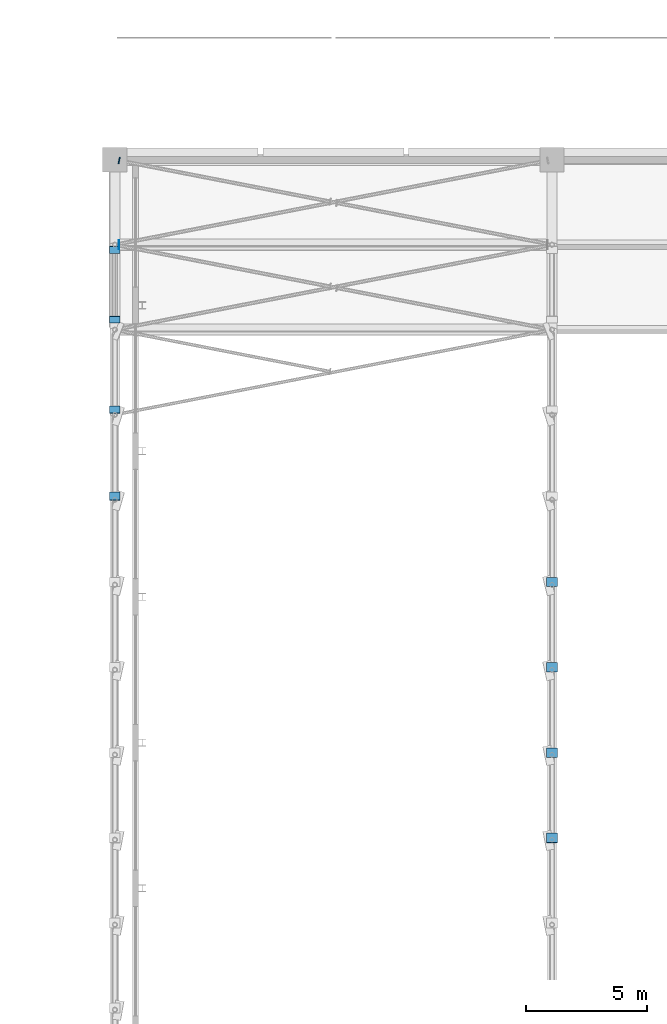
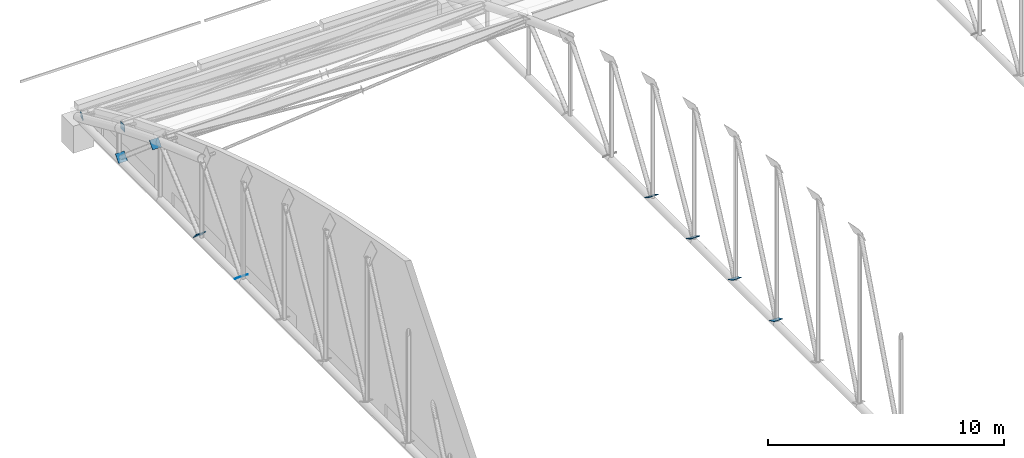
# One storey, part 172 of 196: 10 discrete accessories.
"""IFC4 building model written with IfcOpenShell, lengths in metres."""

from ifc_helpers import new_model, si_unit, direction, frame, origin, origin_2d, place, context, subcontext, project, spatial, rectangle, extrude, material, layer, layer_set, type_object, element, save


model = new_model("IFC4")

# Units and contexts
model_context = context("Model", 3, precision=1e-05, world=origin(), true_north=direction((0.0, 1.0)))
body_context = subcontext(model_context, "Body", "Model", "MODEL_VIEW")
ifc_project = project(units=[si_unit("LENGTHUNIT", "METRE"), si_unit("AREAUNIT", "SQUARE_METRE"), si_unit("VOLUMEUNIT", "CUBIC_METRE"), si_unit("PLANEANGLEUNIT", "RADIAN"), si_unit("MASSUNIT", "GRAM", prefix="KILO")], contexts=[model_context])

# Site, building, storey
site_placement = place(None, origin())
site = spatial("IfcSite", under=ifc_project, at=site_placement, CompositionType="ELEMENT")
building_placement = place(site_placement, origin())
building = spatial("IfcBuilding", under=site, at=building_placement, Name="Okhra Congress Centre", CompositionType="ELEMENT")
storey_placement = place(building_placement, frame((0.0, 0.0, 12.0)))
storey = spatial("IfcBuildingStorey", under=building, at=storey_placement, Name="L02", CompositionType="ELEMENT", Elevation=12.0)

# Discrete accessories
ifc_material = material(Name="Steel S355J2", Category="steel")
ifc_layer = layer(ifc_material, 0.02001953125)
ifc_layer_set = layer_set([ifc_layer], Name="Brace end connection plate 20 mm S355")
discrete_accessory_type = type_object("IfcDiscreteAccessoryType", Name="Brace end connection plate 20 mm S355", PredefinedType="BRACKET", material=ifc_layer_set)
for number, where, z_axis, x_axis, name in (
    (1, (28.0, 202.147216796875, 1.577880859375), (0.0, -0.643761629109, -0.765226087432), (1.0, 0.0, 0.0), "Brace end connection plate"),
    (2, (28.0, 205.709228515625, 1.577880859375), (0.0, -0.760121344352, -0.649781149204), (1.0, 0.0, 0.0), "Brace end connection plate"),
    (3, (28.0, 209.42578125, 4.01220703125), (0.0, -0.760121344352, 0.649781149204), (1.0, 0.0, 0.0), "Brace end connection plate"),
    (4, (28.0, 212.290771484375, 1.577880859375), (0.0, 0.760121344352, -0.649781149204), (-1.0, 0.0, 0.0), "Brace end connection plate"),
    (5, (46.0, 188.079345703125, 1.577880859375), (0.0, -0.402738614266, -0.915315032423), (1.0, 0.0, 0.0), "Brace end connection plate"),
    (6, (46.0, 191.587158203125, 1.577880859375), (0.0, -0.437465718849, -0.899235088746), (1.0, 0.0, 0.0), "Brace end connection plate"),
    (7, (46.0, 195.0986328125, 1.577880859375), (0.0, -0.485642931179, -0.874157276122), (1.0, 0.0, 0.0), "Brace end connection plate"),
    (8, (46.0, 198.61669921875, 1.577880859375), (0.0, -0.546267780547, -0.837610596839), (1.0, 0.0, 0.0), "Brace end connection plate"),
):
    element("IfcDiscreteAccessory", number, at=place(storey_placement, frame(where, z_axis=z_axis, x_axis=x_axis)), inside=storey, type_object=discrete_accessory_type, Name=name, PredefinedType="BRACKET", context=body_context, shape_type="SweptSolid", body=[
        extrude(rectangle(XDim=0.43798828125, YDim=0.43798828125, at=origin_2d()), origin(), (0.0, 0.0, 1.0), 0.02001953125),
    ])
discrete_accessory_1_placement = place(storey_placement, frame((28.185546875, 212.5, 2.966064453125), z_axis=(-1.0, 0.0, 0.0), x_axis=(0.0, -1.0, 0.0)))
element("IfcDiscreteAccessory", 9, at=discrete_accessory_1_placement, inside=storey, type_object=discrete_accessory_type, Name="Brace end connection plate", PredefinedType="BRACKET", context=body_context, shape_type="SweptSolid", body=[
    extrude(rectangle(XDim=0.35791015625, YDim=0.35791015625, at=origin_2d()), origin(), (0.0, 0.0, 1.0), 0.019775390625),
])
discrete_accessory_2_placement = place(storey_placement, frame((28.185546875, 215.9638671875, 1.416259765625), z_axis=(-0.97699107393, 0.195398214786, -0.085486718969), x_axis=(-0.196116135138, -0.980580675691, 0.0)))
element("IfcDiscreteAccessory", 10, at=discrete_accessory_2_placement, inside=storey, type_object=discrete_accessory_type, Name="Brace end connection plate", PredefinedType="BRACKET", context=body_context, shape_type="SweptSolid", body=[
    extrude(rectangle(XDim=0.279052734375, YDim=0.279052734375, at=origin_2d()), origin(), (0.0, 0.0, 1.0), 0.02001953125),
])

save(model, "model.ifc")
